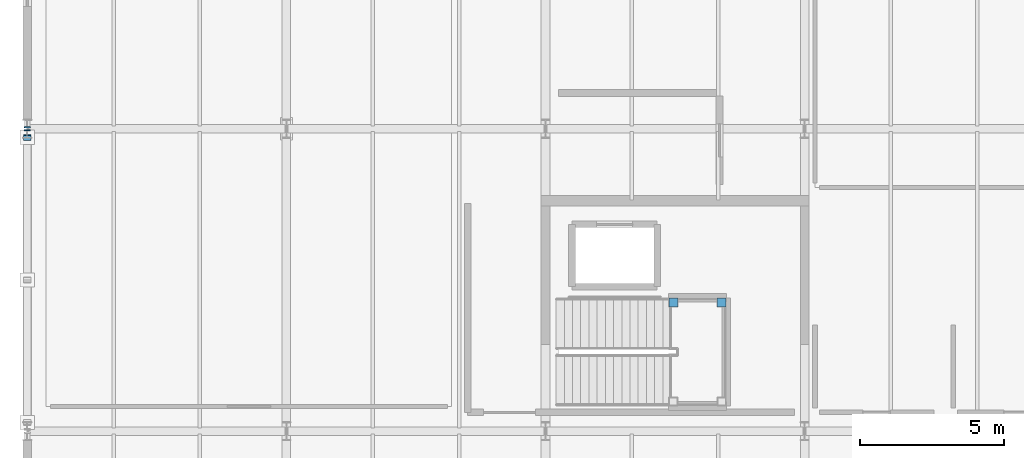
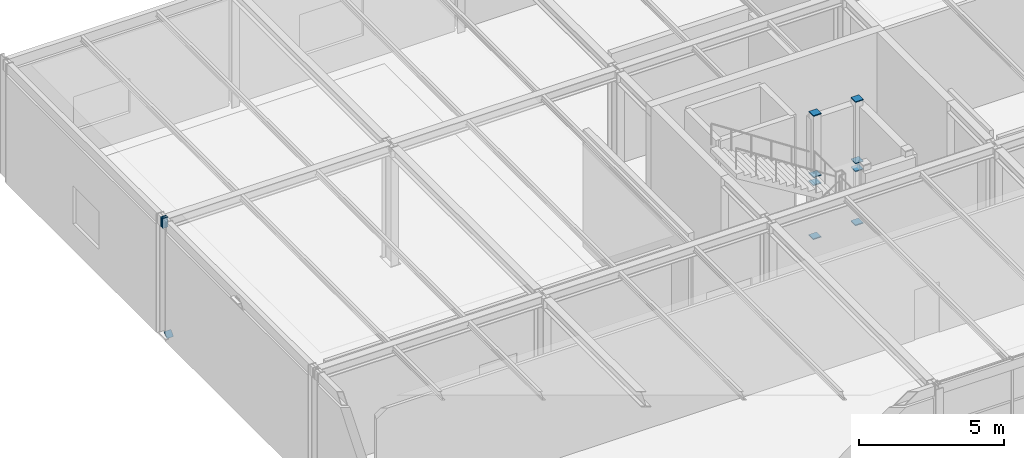
# One storey, part 138 of 195: 11 discrete accessories.
"""IFC4 building model written with IfcOpenShell, lengths in metres."""

from ifc_helpers import new_model, si_unit, direction, frame, origin, origin_2d, place, context, subcontext, project, spatial, rectangle, extrude, material, element, save


model = new_model("IFC4")

# Units and contexts
model_context = context("Model", 3, precision=1e-05, world=origin(), true_north=direction((0.0, 1.0)))
body_context = subcontext(model_context, "Body", "Model", "MODEL_VIEW")
ifc_project = project(units=[si_unit("LENGTHUNIT", "METRE"), si_unit("AREAUNIT", "SQUARE_METRE"), si_unit("VOLUMEUNIT", "CUBIC_METRE"), si_unit("PLANEANGLEUNIT", "RADIAN"), si_unit("MASSUNIT", "GRAM", prefix="KILO")], contexts=[model_context])

# Site, building, storey
site_placement = place(None, origin())
site = spatial("IfcSite", under=ifc_project, at=site_placement, CompositionType="ELEMENT")
building_placement = place(site_placement, origin())
building = spatial("IfcBuilding", under=site, at=building_placement, Name="Marlcrest Central Station", CompositionType="ELEMENT")
storey_placement = place(building_placement, frame((0.0, 0.0, 9.800048828125)))
storey = spatial("IfcBuildingStorey", under=building, at=storey_placement, Name="L02", CompositionType="ELEMENT", Elevation=9.800048828125)

# Discrete accessories
ifc_material = material(Name="Steel S355", Category="steel")
for number, where, z_axis, x_axis, name in (
    (1, (0.0, 120.925048828125, 4.800048828125), (0.0, 1.0, 0.0), (-1.0, 0.0, 0.0), "endcap-bm-SP-01-L02-00385-e"),
    (2, (0.0, 121.03515625, 4.800048828125), (0.0, 1.0, 0.0), (-1.0, 0.0, 0.0), "endcap-bm-SP-01-L02-00386-s"),
):
    element("IfcDiscreteAccessory", number, at=place(storey_placement, frame(where, z_axis=z_axis, x_axis=x_axis)), inside=storey, material=ifc_material, Name=name, ObjectType="END_CAP_PLATE", PredefinedType="BRACKET", context=body_context, shape_type="SweptSolid", body=[
        extrude(rectangle(XDim=0.216064453125, YDim=0.416015625, at=origin_2d()), origin(), (0.0, 0.0, 1.0), 0.0400390625),
    ])
discrete_accessory_placement = place(storey_placement, frame((0.0, 120.7109375, 0.239990234375), z_axis=(0.0, -0.739936770669, 0.672676426978), x_axis=(1.0, 0.0, 0.0)))
element("IfcDiscreteAccessory", 3, at=discrete_accessory_placement, inside=storey, material=ifc_material, Name="endcap-mem-BF-02-L02-00006-s", ObjectType="END_CAP_PLATE", PredefinedType="BRACKET", context=body_context, shape_type="SweptSolid", body=[
    extrude(rectangle(XDim=0.26611328125, YDim=0.26611328125, at=origin_2d()), origin(), (0.0, 0.0, 1.0), 0.0400390625),
])
for number, where, z_axis, x_axis, name in (
    (4, (24.1201171875, 114.969970703125, -0.014892578125), (0.0, 0.0, 1.0), (1.0, 0.0, 0.0), "endcap-htcol-lo-0048-2-s"),
    (5, (24.1201171875, 114.969970703125, 2.255126953125), (0.0, 0.0, 1.0), (1.0, 0.0, 0.0), "endcap-htcol-lo-0048-2-e"),
    (6, (24.1201171875, 114.969970703125, 2.5849609375), (0.0, 0.0, 1.0), (1.0, 0.0, 0.0), "endcap-htcol-hi-0048-2-s"),
    (7, (24.1201171875, 114.969970703125, 5.175048828125), (0.0, 0.0, 1.0), (1.0, 0.0, 0.0), "endcap-htcol-hi-0048-2-e"),
    (8, (22.43994140625, 114.969970703125, -0.014892578125), (0.0, 0.0, 1.0), (1.0, 0.0, 0.0), "endcap-htcol-lo-0048-3-s"),
    (9, (22.43994140625, 114.969970703125, 2.255126953125), (0.0, 0.0, 1.0), (1.0, 0.0, 0.0), "endcap-htcol-lo-0048-3-e"),
    (10, (22.43994140625, 114.969970703125, 2.5849609375), (0.0, 0.0, 1.0), (1.0, 0.0, 0.0), "endcap-htcol-hi-0048-3-s"),
    (11, (22.43994140625, 114.969970703125, 5.175048828125), (0.0, 0.0, 1.0), (1.0, 0.0, 0.0), "endcap-htcol-hi-0048-3-e"),
):
    element("IfcDiscreteAccessory", number, at=place(storey_placement, frame(where, z_axis=z_axis, x_axis=x_axis)), inside=storey, material=ifc_material, Name=name, ObjectType="END_CAP_PLATE", PredefinedType="BRACKET", context=body_context, shape_type="SweptSolid", body=[
        extrude(rectangle(XDim=0.31591796875, YDim=0.31591796875, at=origin_2d()), origin(), (0.0, 0.0, 1.0), 0.0400390625),
    ])

save(model, "model.ifc")
